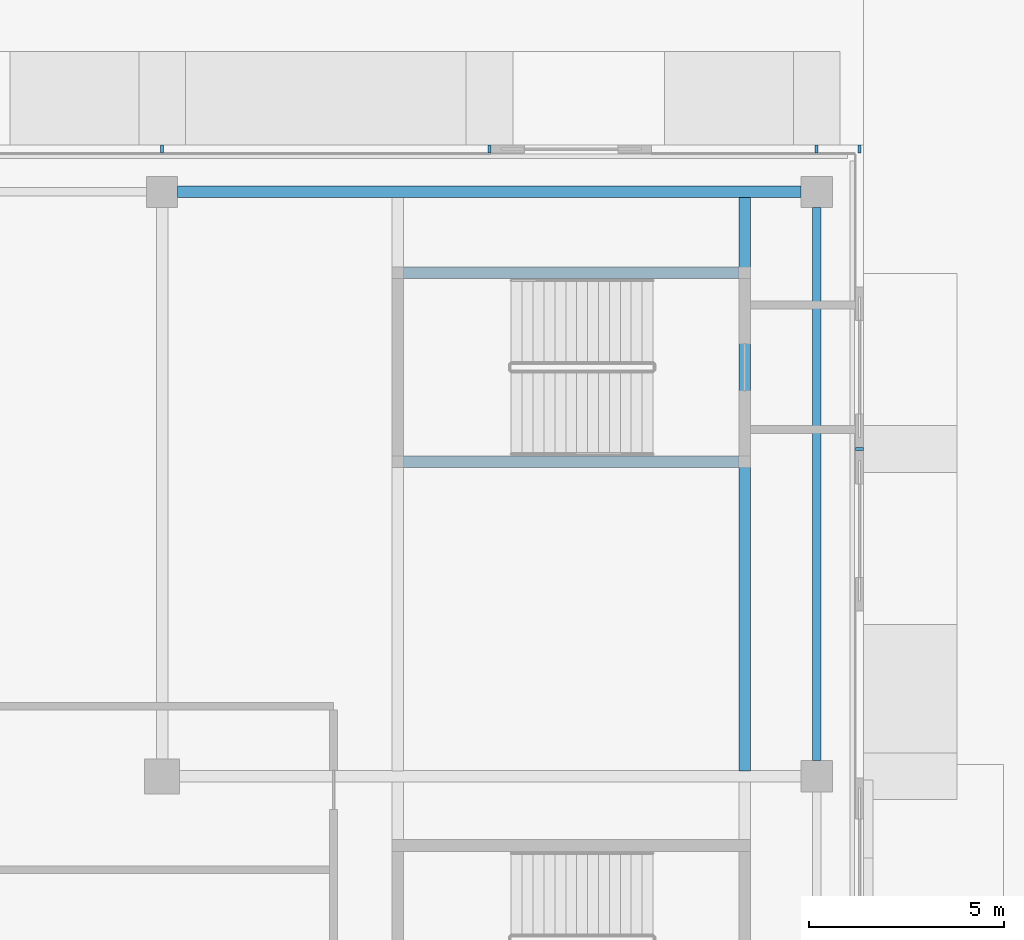
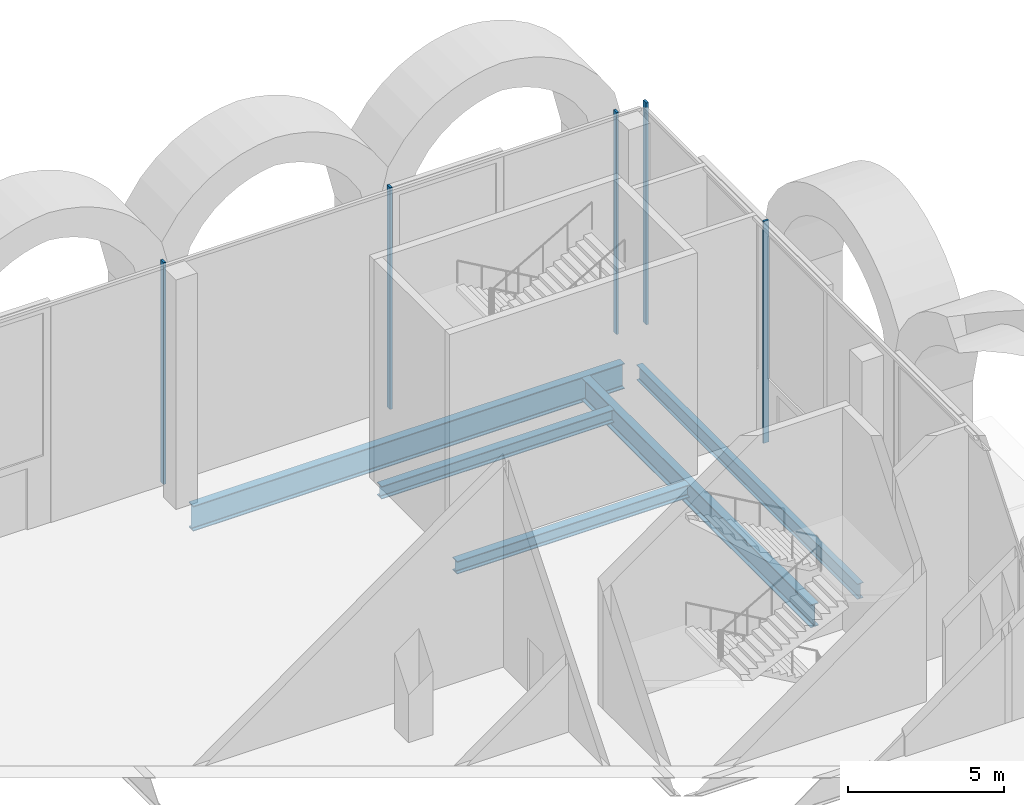
# One storey, part 16 of 43: 5 beams, 5 members, 2 elements without a shape of their own.
"""IFC4 building model written with IfcOpenShell, lengths in metres."""

from ifc_helpers import new_model, si_unit, direction, frame, origin, origin_2d, place, context, subcontext, project, spatial, rectangle, i_section, extrude, material, material_profile, profile_set, type_object, element, aggregate, save


model = new_model("IFC4")

# Units and contexts
model_context = context("Model", 3, precision=1e-05, world=origin(), true_north=direction((0.0, 1.0)))
body_context = subcontext(model_context, "Body", "Model", "MODEL_VIEW")
ifc_project = project(units=[si_unit("LENGTHUNIT", "METRE"), si_unit("AREAUNIT", "SQUARE_METRE"), si_unit("VOLUMEUNIT", "CUBIC_METRE"), si_unit("PLANEANGLEUNIT", "RADIAN"), si_unit("MASSUNIT", "GRAM", prefix="KILO")], contexts=[model_context])

# Site, building, storey
site_placement = place(None, origin())
site = spatial("IfcSite", under=ifc_project, at=site_placement, CompositionType="ELEMENT")
building_placement = place(site_placement, origin())
building = spatial("IfcBuilding", under=site, at=building_placement, Name="Saffron Gate Tower", CompositionType="ELEMENT")
storey_placement = place(building_placement, origin())
storey = spatial("IfcBuildingStorey", under=building, at=storey_placement, Name="L00", CompositionType="ELEMENT", Elevation=0.0)

# Beams
ifc_material_1 = material(Name="Structural steel S355", Category="steel")
ifc_material_profile_1 = material_profile(ifc_material_1, i_section(OverallWidth=0.219970703125, OverallDepth=0.60009765625, WebThickness=0.011962890625, FlangeThickness=0.01904296875, FilletRadius=0.02392578125, at=origin_2d()))
ifc_profile_set_1 = profile_set([ifc_material_profile_1], Name="Structural steel S355")
beam_type_1 = type_object("IfcBeamType", Name="B15 IPE 600", PredefinedType="BEAM", material=ifc_profile_set_1)
beam_1_placement = place(storey_placement, frame((142.199951171875, 74.199951171875, -0.60009765625), z_axis=(0.0, 1.0, 0.0), x_axis=(-1.0, 0.0, 0.0)))
element("IfcBeam", 1, at=beam_1_placement, inside=storey, type_object=beam_type_1, Name="B15 PODIUM EDGE BEAM", PredefinedType="BEAM", context=body_context, shape_type="SweptSolid", body=[
    extrude(i_section(OverallWidth=0.219970703125, OverallDepth=0.60009765625, WebThickness=0.011962890625, FlangeThickness=0.01904296875, FilletRadius=0.02392578125, at=origin_2d()), origin(), (0.0, 0.0, 1.0), 14.199951171875),
])
ifc_material_profile_2 = material_profile(ifc_material_1, i_section(OverallWidth=0.300048828125, OverallDepth=0.89990234375, WebThickness=0.0185546875, FlangeThickness=0.034912109375, FilletRadius=0.030029296875, at=origin_2d()))
ifc_profile_set_2 = profile_set([ifc_material_profile_2], Name="Structural steel S355")
beam_type_2 = type_object("IfcBeamType", Name="B20 HEB 900", PredefinedType="BEAM", material=ifc_profile_set_2)
beam_2_placement = place(storey_placement, frame((140.35009765625, 73.93994140625, -0.75), z_axis=(0.0, 1.0, 0.0), x_axis=(-1.0, 0.0, 0.0)))
element("IfcBeam", 2, at=beam_2_placement, inside=storey, type_object=beam_type_2, Name="B20 STAIR ENCLOSURE HEADER BEAM", PredefinedType="BEAM", context=body_context, shape_type="SweptSolid", body=[
    extrude(i_section(OverallWidth=0.300048828125, OverallDepth=0.89990234375, WebThickness=0.0185546875, FlangeThickness=0.034912109375, FilletRadius=0.030029296875, at=origin_2d()), origin(), (0.0, 0.0, 1.0), 14.719970703125),
])
ifc_material_profile_3 = material_profile(ifc_material_1, i_section(OverallWidth=0.300048828125, OverallDepth=0.989990234375, WebThickness=0.0166015625, FlangeThickness=0.031005859375, FilletRadius=0.030029296875, at=origin_2d()))
ifc_profile_set_3 = profile_set([ifc_material_profile_3], Name="Structural steel S355")
beam_type_3 = type_object("IfcBeamType", Name="B21 HEA 1000", PredefinedType="BEAM", material=ifc_profile_set_3)
beam_3_placement = place(storey_placement, frame((125.800048828125, 88.800048828125, -0.794921875), z_axis=(1.0, 0.0, 0.0), x_axis=(0.0, 1.0, 0.0)))
element("IfcBeam", 3, at=beam_3_placement, inside=storey, type_object=beam_type_3, Name="B21 PODIUM EDGE BEAM", PredefinedType="BEAM", context=body_context, shape_type="SweptSolid", body=[
    extrude(i_section(OverallWidth=0.300048828125, OverallDepth=0.989990234375, WebThickness=0.0166015625, FlangeThickness=0.031005859375, FilletRadius=0.030029296875, at=origin_2d()), origin(), (0.0, 0.0, 1.0), 16.0),
])
ifc_material_profile_4 = material_profile(ifc_material_1, i_section(OverallWidth=0.300048828125, OverallDepth=0.5, WebThickness=0.014404296875, FlangeThickness=0.028076171875, FilletRadius=0.027099609375, at=origin_2d()))
ifc_profile_set_4 = profile_set([ifc_material_profile_4], Name="Structural steel S355")
beam_type_4 = type_object("IfcBeamType", Name="B9 HEB 500", PredefinedType="BEAM", material=ifc_profile_set_4)
for number, where, z_axis, x_axis, name in (
    (4, (131.590087890625, 81.875, -0.550048828125), (1.0, 0.0, 0.0), (0.0, 1.0, 0.0), "B9 STAIR ENCLOSURE TRIMMER BEAM"),
    (5, (131.590087890625, 86.72509765625, -0.550048828125), (1.0, 0.0, 0.0), (0.0, 1.0, 0.0), "B9 STAIR ENCLOSURE TRIMMER BEAM"),
):
    element("IfcBeam", number, at=place(storey_placement, frame(where, z_axis=z_axis, x_axis=x_axis)), inside=storey, type_object=beam_type_4, Name=name, PredefinedType="BEAM", context=body_context, shape_type="SweptSolid", body=[
        extrude(i_section(OverallWidth=0.300048828125, OverallDepth=0.5, WebThickness=0.014404296875, FlangeThickness=0.028076171875, FilletRadius=0.027099609375, at=origin_2d()), origin(), (0.0, 0.0, 1.0), 8.619873046875),
    ])

# Curtain wall, member
ifc_material_2 = material(Name="Aluminium, bronze anodised", Category="aluminium")
curtain_wall_type = type_object("IfcCurtainWallType", Name="CWS5 curtain wall podium ring base", PredefinedType="NOTDEFINED", material=ifc_material_2)
curtain_wall_1_placement = place(storey_placement, origin())
curtain_wall_1 = element("IfcCurtainWall", 6, at=curtain_wall_1_placement, inside=storey, type_object=curtain_wall_type, Name="CWS5 run 2", PredefinedType="NOTDEFINED")
ifc_material_profile_5 = material_profile(ifc_material_2, rectangle(XDim=0.199951171875, YDim=0.080078125, at=origin_2d()))
ifc_profile_set_5 = profile_set([ifc_material_profile_5], Name="Aluminium, bronze anodised")
member_type = type_object("IfcMemberType", Name="CWS5 mullion 80x200", PredefinedType="MULLION", material=ifc_profile_set_5)
member_1_placement = place(storey_placement, frame((143.300048828125, 82.199951171875, 0.0), z_axis=(0.0, 0.0, 1.0), x_axis=(-1.0, 0.0, 0.0)))
member_1 = element("IfcMember", 7, at=member_1_placement, type_object=member_type, Name="CWS5 mullion 9", PredefinedType="MULLION", context=body_context, shape_type="SweptSolid", body=[
    extrude(rectangle(XDim=0.199951171875, YDim=0.080078125, at=origin_2d()), origin(), (0.0, 0.0, 1.0), 8.699951171875),
])
aggregate(curtain_wall_1, [member_1])

# Curtain wall, members
curtain_wall_2_placement = place(storey_placement, origin())
curtain_wall_2 = element("IfcCurtainWall", 8, at=curtain_wall_2_placement, inside=storey, type_object=curtain_wall_type, Name="CWS5 run 3", PredefinedType="NOTDEFINED")
member_2_placement = place(storey_placement, frame((143.300048828125, 89.89990234375, 0.0), z_axis=(0.0, 0.0, 1.0), x_axis=(0.0, -1.0, 0.0)))
member_2 = element("IfcMember", 9, at=member_2_placement, type_object=member_type, Name="CWS5 mullion 1", PredefinedType="MULLION", context=body_context, shape_type="SweptSolid", body=[
    extrude(rectangle(XDim=0.199951171875, YDim=0.080078125, at=origin_2d()), origin(), (0.0, 0.0, 1.0), 8.699951171875),
])
member_3_placement = place(storey_placement, frame((142.199951171875, 89.89990234375, 0.0), z_axis=(0.0, 0.0, 1.0), x_axis=(0.0, -1.0, 0.0)))
member_3 = element("IfcMember", 10, at=member_3_placement, type_object=member_type, Name="CWS5 mullion 2", PredefinedType="MULLION", context=body_context, shape_type="SweptSolid", body=[
    extrude(rectangle(XDim=0.199951171875, YDim=0.080078125, at=origin_2d()), origin(), (0.0, 0.0, 1.0), 8.699951171875),
])
member_4_placement = place(storey_placement, frame((133.800048828125, 89.89990234375, 0.0), z_axis=(0.0, 0.0, 1.0), x_axis=(0.0, -1.0, 0.0)))
member_4 = element("IfcMember", 11, at=member_4_placement, type_object=member_type, Name="CWS5 mullion 3", PredefinedType="MULLION", context=body_context, shape_type="SweptSolid", body=[
    extrude(rectangle(XDim=0.199951171875, YDim=0.080078125, at=origin_2d()), origin(), (0.0, 0.0, 1.0), 8.699951171875),
])
member_5_placement = place(storey_placement, frame((125.39990234375, 89.89990234375, 0.0), z_axis=(0.0, 0.0, 1.0), x_axis=(0.0, -1.0, 0.0)))
member_5 = element("IfcMember", 12, at=member_5_placement, type_object=member_type, Name="CWS5 mullion 4", PredefinedType="MULLION", context=body_context, shape_type="SweptSolid", body=[
    extrude(rectangle(XDim=0.199951171875, YDim=0.080078125, at=origin_2d()), origin(), (0.0, 0.0, 1.0), 8.699951171875),
])
aggregate(curtain_wall_2, [member_2, member_3, member_4, member_5])

save(model, "model.ifc")
